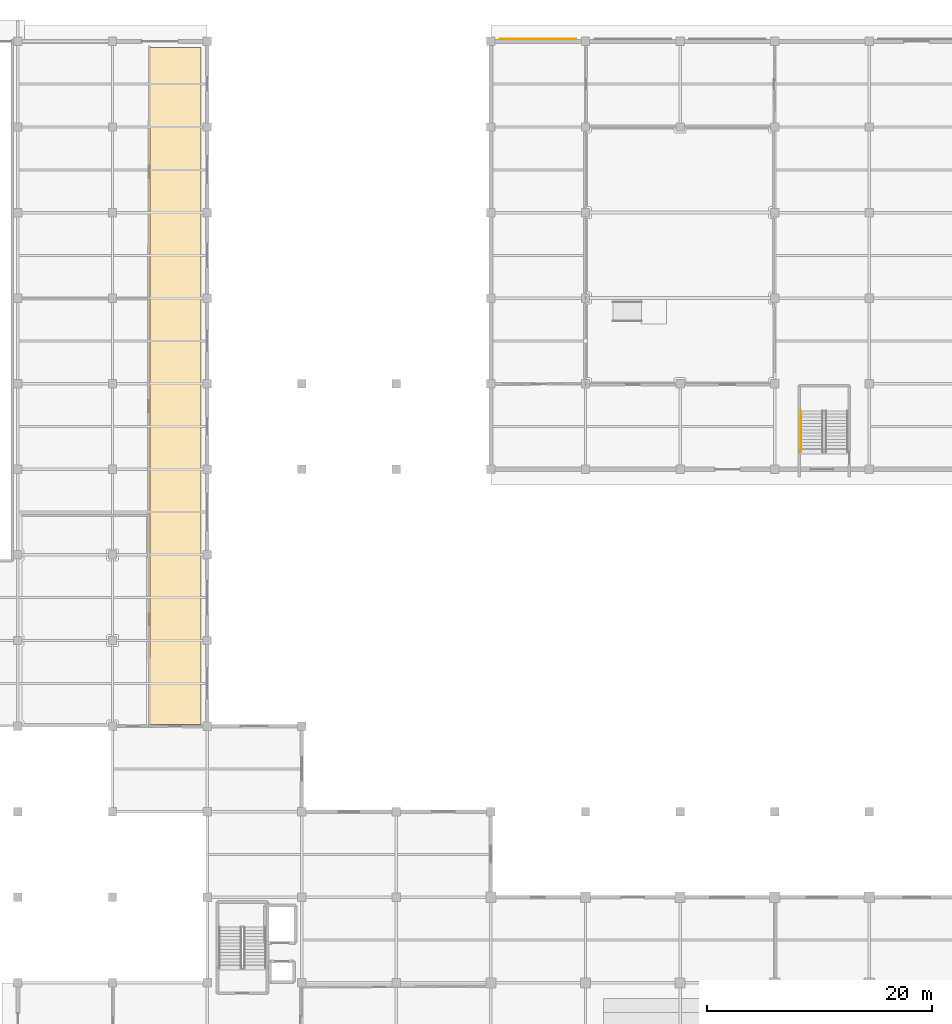
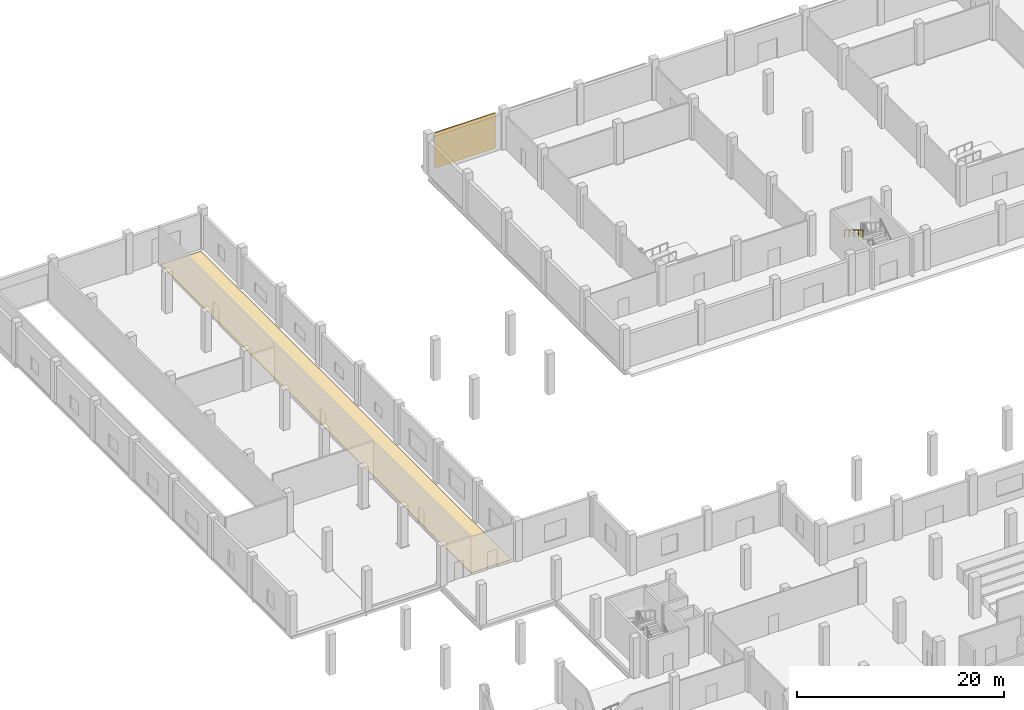
# One storey, part 33 of 36: 2 coverings, 1 railing.
"""IFC4 building model written with IfcOpenShell, lengths in metres."""

from ifc_helpers import new_model, si_unit, direction, frame, origin, origin_2d, place, context, subcontext, project, spatial, polyline, rectangle, circle, outline, extrude, material, layer, layer_set, type_object, element, save


model = new_model("IFC4")

# Units and contexts
model_context = context("Model", 3, precision=1e-05, world=origin(), true_north=direction((0.0, 1.0)))
body_context = subcontext(model_context, "Body", "Model", "MODEL_VIEW")
ifc_project = project(units=[si_unit("LENGTHUNIT", "METRE"), si_unit("AREAUNIT", "SQUARE_METRE"), si_unit("VOLUMEUNIT", "CUBIC_METRE"), si_unit("PLANEANGLEUNIT", "RADIAN"), si_unit("MASSUNIT", "GRAM", prefix="KILO")], contexts=[model_context])

# Site, building, storey
site_placement = place(None, origin())
site = spatial("IfcSite", under=ifc_project, at=site_placement, CompositionType="ELEMENT")
building_placement = place(site_placement, origin())
building = spatial("IfcBuilding", under=site, at=building_placement, Name="Zuvorla Pavilion Media Centre", CompositionType="ELEMENT")
storey_placement = place(building_placement, origin())
storey = spatial("IfcBuildingStorey", under=building, at=storey_placement, Name="L00", CompositionType="ELEMENT", Elevation=0.0)

# Coverings
ifc_material_1 = material(Name="Dark charcoal terracotta acoustic rainscreen cladding", Category="masonry")
ifc_layer_1 = layer(ifc_material_1, 0.06005859375)
ifc_layer_set_1 = layer_set([ifc_layer_1], Name="Dark charcoal terracotta acoustic rainscreen cladding")
covering_type_1 = type_object("IfcCoveringType", Name="COV-CLAD-DARK", PredefinedType="CLADDING", material=ifc_layer_set_1)
covering_1_placement = place(storey_placement, frame((71.0, 120.219970703125, 0.10009765625), z_axis=(0.0, 0.0, 1.0), x_axis=(1.0, 0.0, 0.0)))
element("IfcCovering", 1, at=covering_1_placement, inside=storey, type_object=covering_type_1, Name="L00 charcoal terracotta cladding 1", PredefinedType="CLADDING", context=body_context, shape_type="SweptSolid", body=[
    extrude(rectangle(XDim=6.800048828125, YDim=0.06005859375, at=origin_2d()), origin(), (0.0, 0.0, 1.0), 4.199951171875),
])
ifc_material_2 = material(Name="Floating resilient acoustic hardwood studio floor", Category="wood")
ifc_layer_2 = layer(ifc_material_2, 0.050048828125)
ifc_layer_set_2 = layer_set([ifc_layer_2], Name="Floating resilient acoustic hardwood studio floor")
covering_type_2 = type_object("IfcCoveringType", Name="COV-FLR-ACOUST", PredefinedType="FLOORING", material=ifc_layer_set_2)
covering_2_placement = place(storey_placement, origin())
element("IfcCovering", 2, at=covering_2_placement, inside=storey, type_object=covering_type_2, Name="L00 acoustic studio floor 1", PredefinedType="FLOORING", context=body_context, shape_type="SweptSolid", body=[
    extrude(outline(polyline([(41.050048828125, 119.449951171875), (41.050048828125, 59.360107421875), (36.550048828125, 59.360107421875), (36.550048828125, 119.449951171875), (41.050048828125, 119.449951171875)])), origin(), (0.0, 0.0, 1.0), 0.050048828125),
])

# Railing
ifc_material_3 = material(Name="Brushed stainless steel tubular handrail", Category="steel")
railing_type = type_object("IfcRailingType", Name="RL-INT-HND", PredefinedType="HANDRAIL", material=ifc_material_3)
railing_placement = place(storey_placement, frame((94.35009765625, 87.18994140625, 2.571533203125)))
element("IfcRailing", 3, at=railing_placement, inside=storey, type_object=railing_type, Name="L00 ST-05 handrail 2", PredefinedType="HANDRAIL", context=body_context, shape_type="SweptSolid", body=[
    extrude(circle(Radius=0.02392578125, at=origin_2d()), frame((0.0, -0.024658203125, 0.890869140625), z_axis=(0.0, -0.852850264322, 0.5221555579), x_axis=(1.0, 0.0, 0.0)), (0.0, 0.0, 1.0), 4.210205078125),
    extrude(circle(Radius=0.02099609375, at=origin_2d()), origin(), (0.0, 0.0, 1.0), 0.849853515625),
    extrude(circle(Radius=0.02099609375, at=origin_2d()), frame((0.0, -0.909912109375, 0.55712890625)), (0.0, 0.0, 1.0), 0.849853515625),
    extrude(circle(Radius=0.02099609375, at=origin_2d()), frame((0.0, -1.81982421875, 1.1142578125)), (0.0, 0.0, 1.0), 0.849853515625),
    extrude(circle(Radius=0.02099609375, at=origin_2d()), frame((0.0, -2.72998046875, 1.67138671875)), (0.0, 0.0, 1.0), 0.849853515625),
    extrude(circle(Radius=0.02099609375, at=origin_2d()), frame((0.0, -3.639892578125, 2.228515625)), (0.0, 0.0, 1.0), 0.849853515625),
])

save(model, "model.ifc")
